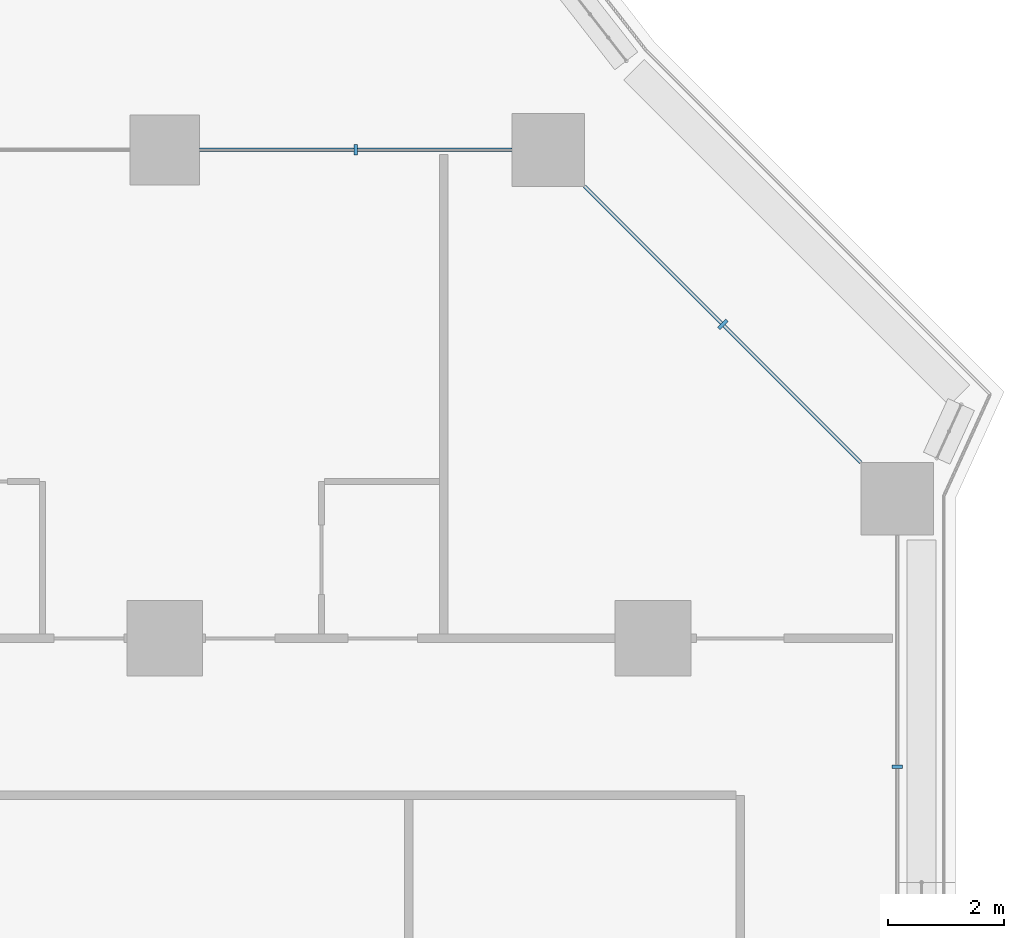
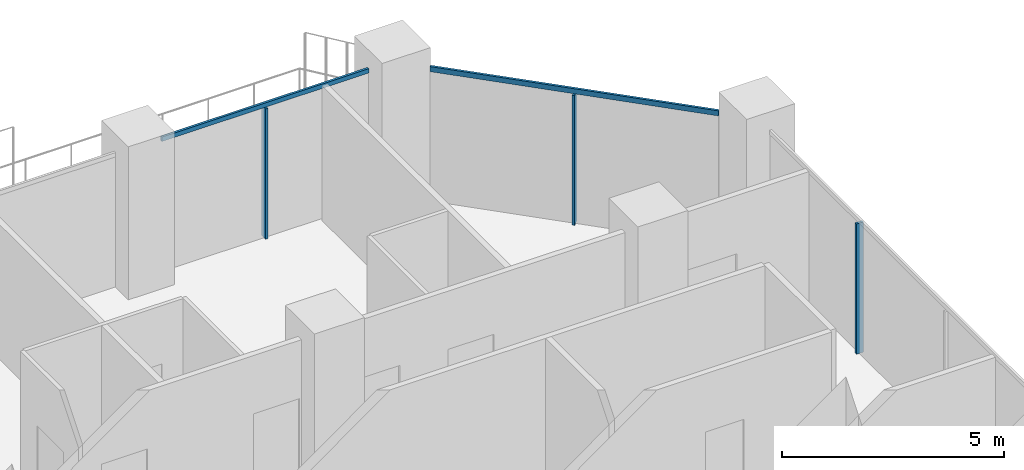
# One storey, part 9 of 28: 5 members, 3 elements without a shape of their own.
"""IFC4 building model written with IfcOpenShell, lengths in metres."""

from ifc_helpers import new_model, si_unit, direction, frame, origin, origin_2d, place, context, subcontext, project, spatial, rectangle, extrude, material, layer, layer_set, material_profile, profile_set, type_object, element, aggregate, save


model = new_model("IFC4")

# Units and contexts
model_context = context("Model", 3, precision=1e-05, world=origin(), true_north=direction((0.0, 1.0)))
body_context = subcontext(model_context, "Body", "Model", "MODEL_VIEW")
ifc_project = project(units=[si_unit("LENGTHUNIT", "METRE"), si_unit("AREAUNIT", "SQUARE_METRE"), si_unit("VOLUMEUNIT", "CUBIC_METRE"), si_unit("PLANEANGLEUNIT", "RADIAN"), si_unit("MASSUNIT", "GRAM", prefix="KILO")], contexts=[model_context])

# Site, building, storey
site_placement = place(None, origin())
site = spatial("IfcSite", under=ifc_project, at=site_placement, CompositionType="ELEMENT")
building_placement = place(site_placement, origin())
building = spatial("IfcBuilding", under=site, at=building_placement, Name="Kawkab Arch Medical Tower", CompositionType="ELEMENT")
storey_placement = place(building_placement, frame((0.0, 0.0, 89.60009765625)))
storey = spatial("IfcBuildingStorey", under=building, at=storey_placement, Name="L20", CompositionType="ELEMENT", Elevation=89.60009765625)

# Curtain wall, member
ifc_material_1 = material(Name="Bronze anodised aluminium curtain wall frame", Category="aluminium")
ifc_layer_1 = layer(ifc_material_1, 0.159912109375)
ifc_layer_set_1 = layer_set([ifc_layer_1], Name="Bronze anodised aluminium curtain wall frame")
curtain_wall_type_1 = type_object("IfcCurtainWallType", Name="CW1 ward curtain wall", PredefinedType="NOTDEFINED", material=ifc_layer_set_1)
placement = place(storey_placement, origin())
curtain_wall_1 = element("IfcCurtainWall", 1, at=placement, inside=storey, type_object=curtain_wall_type_1, Name="CW1 Ward curtain wall R09", PredefinedType="NOTDEFINED")
ifc_material_2 = material(Name="Bronze anodised aluminium curtain wall frame", Category="aluminium")
ifc_material_profile_1 = material_profile(ifc_material_2, rectangle(XDim=0.179931640625, YDim=0.06005859375, at=origin_2d()), Name="AL 60x180")
ifc_profile_set_1 = profile_set([ifc_material_profile_1], Name="Bronze anodised aluminium curtain wall frame")
member_type_1 = type_object("IfcMemberType", Name="CW1 mullion 60 x 180", PredefinedType="MULLION", material=ifc_profile_set_1)
member_1_placement = place(storey_placement, frame((79.800048828125, -10.6083984375, 0.0), z_axis=(0.0, 0.0, 1.0), x_axis=(-1.0, 0.0, 0.0)))
member_1 = element("IfcMember", 2, at=member_1_placement, type_object=member_type_1, Name="CW1 mullion 1.2", PredefinedType="MULLION", context=body_context, shape_type="SweptSolid", body=[
    extrude(rectangle(XDim=0.179931640625, YDim=0.06005859375, at=origin_2d()), origin(), (0.0, 0.0, 1.0), 3.579833984375),
])
aggregate(curtain_wall_1, [member_1])

# Curtain wall, members
curtain_wall_2 = element("IfcCurtainWall", 3, at=placement, inside=storey, type_object=curtain_wall_type_1, Name="CW1 Ward curtain wall R11", PredefinedType="NOTDEFINED")
member_2_placement = place(storey_placement, frame((70.487548828125, 0.0, 0.0), z_axis=(0.0, 0.0, 1.0), x_axis=(0.0, -1.0, 0.0)))
member_2 = element("IfcMember", 4, at=member_2_placement, type_object=member_type_1, Name="CW1 mullion 1.1", PredefinedType="MULLION", context=body_context, shape_type="SweptSolid", body=[
    extrude(rectangle(XDim=0.179931640625, YDim=0.06005859375, at=origin_2d()), origin(), (0.0, 0.0, 1.0), 3.579833984375),
])
ifc_material_3 = material(Name="Bronze anodised aluminium curtain wall frame", Category="aluminium")
ifc_material_profile_2 = material_profile(ifc_material_3, rectangle(XDim=0.06005859375, YDim=0.1201171875, at=origin_2d()), Name="AL 60x120")
ifc_profile_set_2 = profile_set([ifc_material_profile_2], Name="Bronze anodised aluminium curtain wall frame")
member_type_2 = type_object("IfcMemberType", Name="CW1 transom 120 x 60", PredefinedType="USERDEFINED", material=ifc_profile_set_2)
member_3_placement = place(storey_placement, frame((73.175048828125, 0.0, 3.639892578125), z_axis=(-1.0, 0.0, 0.0), x_axis=(0.0, -1.0, 0.0)))
member_3 = element("IfcMember", 5, at=member_3_placement, type_object=member_type_2, Name="CW1 transom 1", ObjectType="TRANSOM", PredefinedType="USERDEFINED", context=body_context, shape_type="SweptSolid", body=[
    extrude(rectangle(XDim=0.06005859375, YDim=0.1201171875, at=origin_2d()), origin(), (0.0, 0.0, 1.0), 5.375),
])
aggregate(curtain_wall_2, [member_3, member_2])

ifc_material_4 = material(Name="Bronze anodised aluminium curtain wall frame", Category="aluminium")
ifc_layer_2 = layer(ifc_material_4, 0.159912109375)
ifc_layer_set_2 = layer_set([ifc_layer_2], Name="Bronze anodised aluminium curtain wall frame")
curtain_wall_type_2 = type_object("IfcCurtainWallType", Name="CW2 chamfer curtain wall", PredefinedType="NOTDEFINED", material=ifc_layer_set_2)
curtain_wall_3 = element("IfcCurtainWall", 6, at=placement, inside=storey, type_object=curtain_wall_type_2, Name="CW2 Chamfer curtain wall R10", PredefinedType="NOTDEFINED")
ifc_material_5 = material(Name="Bronze anodised aluminium curtain wall frame", Category="aluminium")
ifc_material_profile_3 = material_profile(ifc_material_5, rectangle(XDim=0.199951171875, YDim=0.06005859375, at=origin_2d()), Name="AL 60x200")
ifc_profile_set_3 = profile_set([ifc_material_profile_3], Name="Bronze anodised aluminium curtain wall frame")
member_type_3 = type_object("IfcMemberType", Name="CW2 mullion 60 x 200", PredefinedType="MULLION", material=ifc_profile_set_3)
member_4_placement = place(storey_placement, frame((76.800048828125, -3.0, 0.0), z_axis=(0.0, 0.0, 1.0), x_axis=(-0.707106781187, -0.707106781187, 0.0)))
member_4 = element("IfcMember", 7, at=member_4_placement, type_object=member_type_3, Name="CW2 mullion 1.1", PredefinedType="MULLION", context=body_context, shape_type="SweptSolid", body=[
    extrude(rectangle(XDim=0.199951171875, YDim=0.06005859375, at=origin_2d()), origin(), (0.0, 0.0, 1.0), 3.559814453125),
])
ifc_material_6 = material(Name="Bronze anodised aluminium curtain wall frame", Category="aluminium")
ifc_material_profile_4 = material_profile(ifc_material_6, rectangle(XDim=0.06005859375, YDim=0.139892578125, at=origin_2d()), Name="AL 60x140")
ifc_profile_set_4 = profile_set([ifc_material_profile_4], Name="Bronze anodised aluminium curtain wall frame")
member_type_4 = type_object("IfcMemberType", Name="CW2 transom 140 x 60", PredefinedType="USERDEFINED", material=ifc_profile_set_4)
member_5_placement = place(storey_placement, frame((79.175048828125, -5.375, 3.6298828125), z_axis=(-0.707106781187, 0.707106781187, 0.0), x_axis=(-0.707106781187, -0.707106781187, 0.0)))
member_5 = element("IfcMember", 8, at=member_5_placement, type_object=member_type_4, Name="CW2 transom 1", ObjectType="TRANSOM", PredefinedType="USERDEFINED", context=body_context, shape_type="SweptSolid", body=[
    extrude(rectangle(XDim=0.06005859375, YDim=0.139892578125, at=origin_2d()), origin(), (0.0, 0.0, 1.0), 6.717529296875),
])
aggregate(curtain_wall_3, [member_5, member_4])

save(model, "model.ifc")
